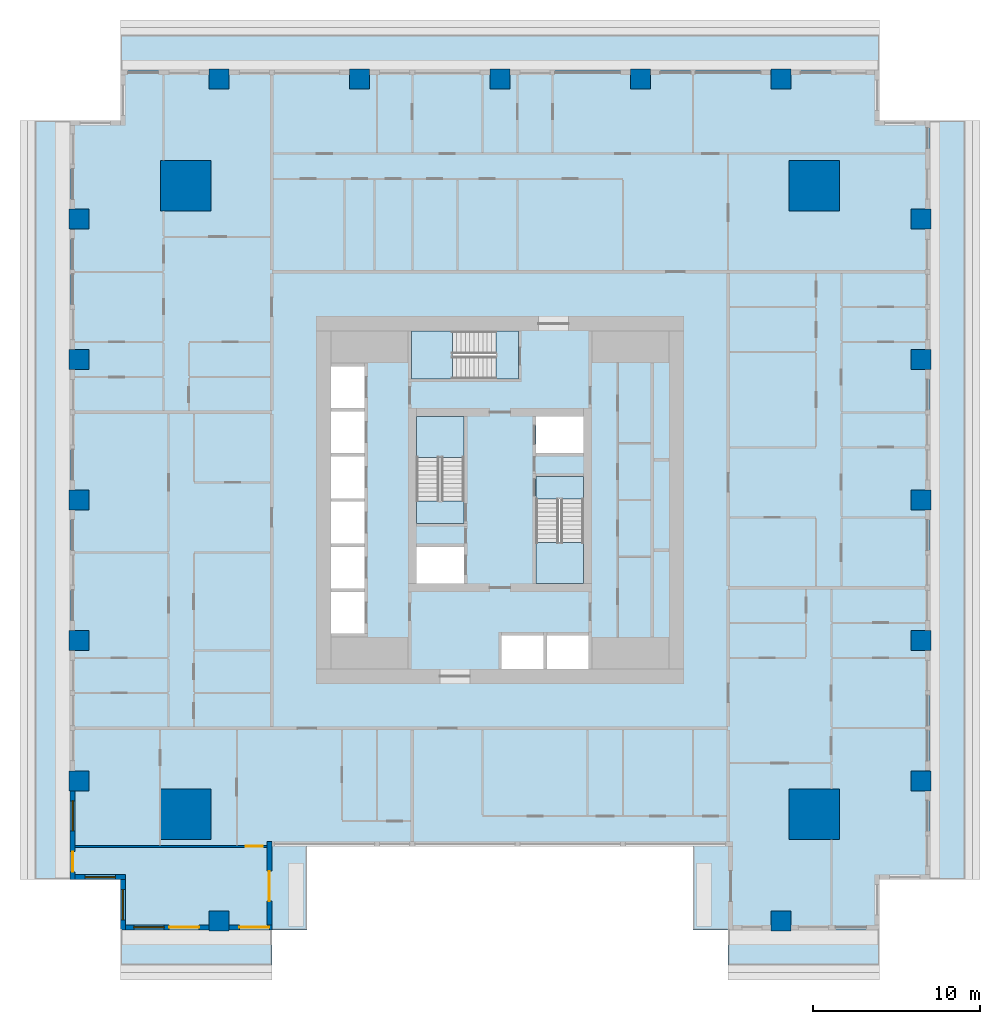
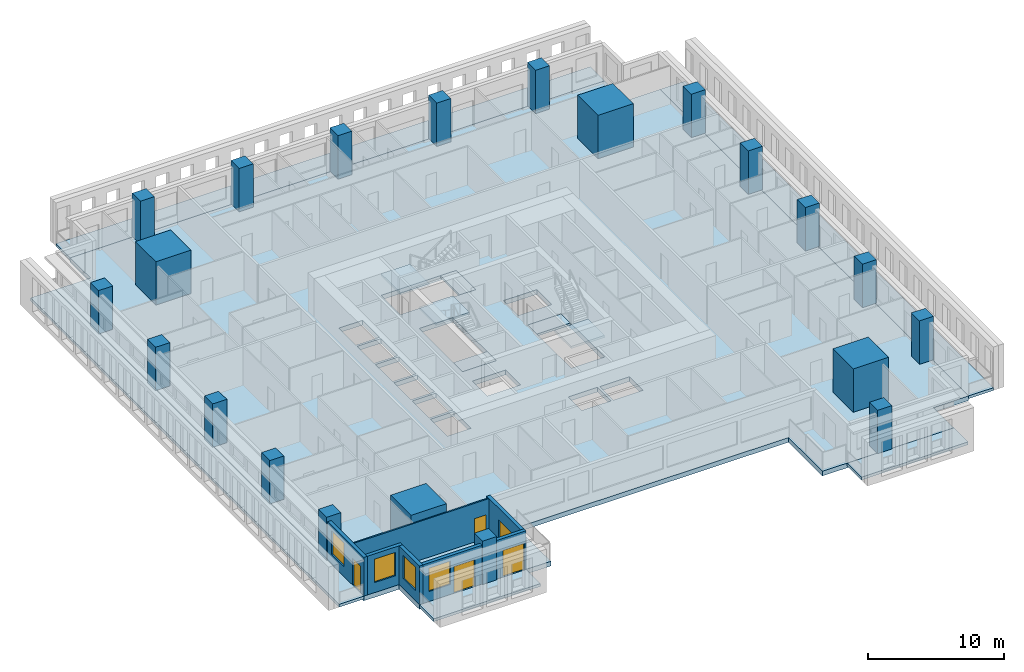
# One storey, part 1 of 14: 21 columns, 12 slabs, 7 walls, 5 doors, 4 windows, 9 openings, 3 elements without a shape of their own.
"""IFC4 building model written with IfcOpenShell, lengths in metres."""

from ifc_helpers import new_model, si_unit, direction, frame, frame_2d, origin, origin_2d, place, context, subcontext, project, spatial, polyline, rectangle, outline, extrude, material, layer, layer_set, material_profile, profile_set, type_object, element, fill, aggregate, save


model = new_model("IFC4")

# Units and contexts
model_context = context("Model", 3, precision=1e-05, world=origin(), true_north=direction((0.0, 1.0)))
body_context = subcontext(model_context, "Body", "Model", "MODEL_VIEW")
ifc_project = project(units=[si_unit("LENGTHUNIT", "METRE"), si_unit("AREAUNIT", "SQUARE_METRE"), si_unit("VOLUMEUNIT", "CUBIC_METRE"), si_unit("PLANEANGLEUNIT", "RADIAN"), si_unit("MASSUNIT", "GRAM", prefix="KILO")], contexts=[model_context])

# Site, building, storey
site_placement = place(None, origin())
site = spatial("IfcSite", under=ifc_project, at=site_placement, CompositionType="ELEMENT")
building_placement = place(site_placement, origin())
building = spatial("IfcBuilding", under=site, at=building_placement, Name="Khepri Terraces", CompositionType="ELEMENT")
storey_placement = place(building_placement, frame((0.0, 0.0, 66.0)))
storey = spatial("IfcBuildingStorey", under=building, at=storey_placement, Name="L15", CompositionType="ELEMENT", Elevation=66.0)

# Columns
ifc_material_1 = material(Name="Concrete C80/95", Category="concrete")
ifc_material_profile_1 = material_profile(ifc_material_1, rectangle(XDim=3.0, YDim=3.0, at=origin_2d()), Name="Concrete C80/95", Category="concrete")
ifc_profile_set_1 = profile_set([ifc_material_profile_1], Name="Concrete C80/95")
column_type_1 = type_object("IfcColumnType", Name="Mega column RC 3000x3000 C80/95", PredefinedType="COLUMN", material=ifc_profile_set_1)
for number, where, z_axis, x_axis, name in (
    (1, (18.800048828125, 18.800048828125, 0.0), (0.0, 0.0, 1.0), (1.0, 0.0, 0.0), "Mega column MEN L15"),
    (2, (18.800048828125, -18.800048828125, 0.0), (0.0, 0.0, 1.0), (1.0, 0.0, 0.0), "Mega column MES L15"),
    (3, (-18.800048828125, 18.800048828125, 0.0), (0.0, 0.0, 1.0), (1.0, 0.0, 0.0), "Mega column MWN L15"),
    (4, (-18.800048828125, -18.800048828125, 0.0), (0.0, 0.0, 1.0), (1.0, 0.0, 0.0), "Mega column MWS L15"),
):
    element("IfcColumn", number, at=place(storey_placement, frame(where, z_axis=z_axis, x_axis=x_axis)), inside=storey, type_object=column_type_1, Name=name, PredefinedType="COLUMN", context=body_context, shape_type="SweptSolid", body=[
        extrude(rectangle(XDim=3.0, YDim=3.0, at=origin_2d()), origin(), (0.0, 0.0, 1.0), 3.89990234375),
    ])
ifc_material_profile_2 = material_profile(ifc_material_1, rectangle(XDim=1.199951171875, YDim=1.199951171875, at=origin_2d()), Name="Concrete C80/95", Category="concrete")
ifc_profile_set_2 = profile_set([ifc_material_profile_2], Name="Concrete C80/95")
column_type_2 = type_object("IfcColumnType", Name="Tower column RC 1200x1200 C80/95", PredefinedType="COLUMN", material=ifc_profile_set_2)
for number, where, z_axis, x_axis, name in (
    (5, (25.199951171875, 0.0, 0.0), (0.0, 0.0, 1.0), (1.0, 0.0, 0.0), "Perimeter column PE+000a L15"),
    (6, (25.199951171875, 8.39990234375, 0.0), (0.0, 0.0, 1.0), (1.0, 0.0, 0.0), "Perimeter column PE+084a L15"),
    (7, (25.199951171875, 16.800048828125, 0.0), (0.0, 0.0, 1.0), (1.0, 0.0, 0.0), "Perimeter column PE+168a L15"),
    (8, (25.199951171875, -8.39990234375, 0.0), (0.0, 0.0, 1.0), (1.0, 0.0, 0.0), "Perimeter column PE-084a L15"),
    (9, (25.199951171875, -16.800048828125, 0.0), (0.0, 0.0, 1.0), (1.0, 0.0, 0.0), "Perimeter column PE-168a L15"),
    (10, (0.0, 25.199951171875, 0.0), (0.0, 0.0, 1.0), (1.0, 0.0, 0.0), "Perimeter column PN+000a L15"),
    (11, (-8.39990234375, 25.199951171875, 0.0), (0.0, 0.0, 1.0), (1.0, 0.0, 0.0), "Perimeter column PN+084a L15"),
    (12, (-16.800048828125, 25.199951171875, 0.0), (0.0, 0.0, 1.0), (1.0, 0.0, 0.0), "Perimeter column PN+168a L15"),
    (13, (8.39990234375, 25.199951171875, 0.0), (0.0, 0.0, 1.0), (1.0, 0.0, 0.0), "Perimeter column PN-084a L15"),
    (14, (16.800048828125, 25.199951171875, 0.0), (0.0, 0.0, 1.0), (1.0, 0.0, 0.0), "Perimeter column PN-168a L15"),
    (15, (16.800048828125, -25.199951171875, 0.0), (0.0, 0.0, 1.0), (1.0, 0.0, 0.0), "Perimeter column PS+168a L15"),
    (16, (-16.800048828125, -25.199951171875, 0.0), (0.0, 0.0, 1.0), (1.0, 0.0, 0.0), "Perimeter column PS-168a L15"),
    (17, (-25.199951171875, 0.0, 0.0), (0.0, 0.0, 1.0), (1.0, 0.0, 0.0), "Perimeter column PW+000a L15"),
    (18, (-25.199951171875, -8.39990234375, 0.0), (0.0, 0.0, 1.0), (1.0, 0.0, 0.0), "Perimeter column PW+084a L15"),
    (19, (-25.199951171875, -16.800048828125, 0.0), (0.0, 0.0, 1.0), (1.0, 0.0, 0.0), "Perimeter column PW+168a L15"),
    (20, (-25.199951171875, 8.39990234375, 0.0), (0.0, 0.0, 1.0), (1.0, 0.0, 0.0), "Perimeter column PW-084a L15"),
    (21, (-25.199951171875, 16.800048828125, 0.0), (0.0, 0.0, 1.0), (1.0, 0.0, 0.0), "Perimeter column PW-168a L15"),
):
    element("IfcColumn", number, at=place(storey_placement, frame(where, z_axis=z_axis, x_axis=x_axis)), inside=storey, type_object=column_type_2, Name=name, PredefinedType="COLUMN", context=body_context, shape_type="SweptSolid", body=[
        extrude(rectangle(XDim=1.199951171875, YDim=1.199951171875, at=origin_2d()), origin(), (0.0, 0.0, 1.0), 3.89990234375),
    ])

# Slabs
ifc_material_2 = material(Name="Concrete C40/50", Category="concrete")
ifc_layer_1 = layer(ifc_material_2, 0.419921875, Name="Concrete C40/50", Category="concrete")
ifc_layer_set_1 = layer_set([ifc_layer_1], Name="Concrete C40/50")
slab_type_1 = type_object("IfcSlabType", Name="Flat plate 420", PredefinedType="FLOOR", material=ifc_layer_set_1)
slab_1_placement = place(storey_placement, frame((0.0, 0.0, -0.419921875)))
element("IfcSlab", 22, at=slab_1_placement, inside=storey, type_object=slab_type_1, Name="Floor slab F01 L15", PredefinedType="FLOOR", context=body_context, shape_type="SweptSolid", body=[
    extrude(outline(polyline([(22.719970703125, -25.719970703125), (13.64990234375, -25.719970703125), (11.550048828125, -25.719970703125), (11.550048828125, -20.719970703125), (-11.550048828125, -20.719970703125), (-11.550048828125, -25.719970703125), (-13.64990234375, -25.719970703125), (-22.719970703125, -25.719970703125), (-22.719970703125, -22.719970703125), (-25.719970703125, -22.719970703125), (-25.719970703125, 22.719970703125), (-22.719970703125, 22.719970703125), (-22.719970703125, 25.719970703125), (22.719970703125, 25.719970703125), (22.719970703125, 22.719970703125), (25.719970703125, 22.719970703125), (25.719970703125, -22.719970703125), (22.719970703125, -22.719970703125), (22.719970703125, -25.719970703125)]), holes=[polyline([(5.0, 5.0), (2.14990234375, 5.0), (2.14990234375, 2.800048828125), (5.0, 2.800048828125), (5.0, 5.0)]), polyline([(-2.14990234375, -5.0), (-2.14990234375, -2.800048828125), (-5.0, -2.800048828125), (-5.0, -5.0), (-2.14990234375, -5.0)]), polyline([(-10.10009765625, -8.0), (-8.10009765625, -8.0), (-8.10009765625, -5.5), (-10.10009765625, -5.5), (-10.10009765625, -8.0)]), polyline([(-10.10009765625, -2.800048828125), (-10.10009765625, -5.300048828125), (-8.10009765625, -5.300048828125), (-8.10009765625, -2.800048828125), (-10.10009765625, -2.800048828125)]), polyline([(-8.10009765625, -0.10009765625), (-10.10009765625, -0.10009765625), (-10.10009765625, -2.60009765625), (-8.10009765625, -2.60009765625), (-8.10009765625, -0.10009765625)]), polyline([(-8.10009765625, 0.10009765625), (-8.10009765625, 2.60009765625), (-10.10009765625, 2.60009765625), (-10.10009765625, 0.10009765625), (-8.10009765625, 0.10009765625)]), polyline([(-10.10009765625, 2.800048828125), (-8.10009765625, 2.800048828125), (-8.10009765625, 5.300048828125), (-10.10009765625, 5.300048828125), (-10.10009765625, 2.800048828125)]), polyline([(-10.10009765625, 8.0), (-10.10009765625, 5.5), (-8.10009765625, 5.5), (-8.10009765625, 8.0), (-10.10009765625, 8.0)]), polyline([(2.60009765625, -8.10009765625), (0.10009765625, -8.10009765625), (0.10009765625, -10.10009765625), (2.60009765625, -10.10009765625), (2.60009765625, -8.10009765625)]), polyline([(5.300048828125, -10.10009765625), (5.300048828125, -8.10009765625), (2.800048828125, -8.10009765625), (2.800048828125, -10.10009765625), (5.300048828125, -10.10009765625)]), polyline([(-5.0, -1.39990234375), (-2.14990234375, -1.39990234375), (-2.14990234375, 5.0), (-5.0, 5.0), (-5.0, -1.39990234375)]), polyline([(5.0, -5.0), (5.0, 1.39990234375), (2.14990234375, 1.39990234375), (2.14990234375, -5.0), (5.0, -5.0)]), polyline([(-5.300048828125, 10.10009765625), (-5.300048828125, 7.25), (1.10009765625, 7.25), (1.10009765625, 10.10009765625), (-5.300048828125, 10.10009765625)])]), origin(), (0.0, 0.0, 1.0), 0.419921875),
])
ifc_material_3 = material(Name="Precast concrete C50/60 warm stone", Category="masonry")
ifc_layer_2 = layer(ifc_material_3, 0.25, Name="Precast concrete C50/60 warm stone", Category="masonry")
ifc_layer_set_2 = layer_set([ifc_layer_2], Name="Precast concrete C50/60 warm stone")
slab_type_2 = type_object("IfcSlabType", Name="SLB-BALCONY-250", PredefinedType="FLOOR", material=ifc_layer_set_2)
slab_2_placement = place(storey_placement, frame((0.0, 0.0, -0.25)))
element("IfcSlab", 23, at=slab_2_placement, inside=storey, type_object=slab_type_2, Name="Balcony slab L15 S", PredefinedType="FLOOR", context=body_context, shape_type="SweptSolid", body=[
    extrude(outline(polyline([(-17.39990234375, -25.719970703125), (-22.719970703125, -25.719970703125), (-22.719970703125, -27.820068359375), (-13.64990234375, -27.820068359375), (-13.64990234375, -25.719970703125), (-16.199951171875, -25.719970703125), (-16.199951171875, -25.800048828125), (-17.39990234375, -25.800048828125), (-17.39990234375, -25.719970703125)])), origin(), (0.0, 0.0, 1.0), 0.25),
])
slab_3_placement = place(storey_placement, frame((0.0, 0.0, -0.25)))
element("IfcSlab", 24, at=slab_3_placement, inside=storey, type_object=slab_type_2, Name="Balcony slab L15 S", PredefinedType="FLOOR", context=body_context, shape_type="SweptSolid", body=[
    extrude(outline(polyline([(16.199951171875, -25.719970703125), (13.64990234375, -25.719970703125), (13.64990234375, -27.820068359375), (22.719970703125, -27.820068359375), (22.719970703125, -25.719970703125), (17.39990234375, -25.719970703125), (17.39990234375, -25.800048828125), (16.199951171875, -25.800048828125), (16.199951171875, -25.719970703125)])), origin(), (0.0, 0.0, 1.0), 0.25),
])
slab_4_placement = place(storey_placement, frame((0.0, 0.0, -0.25)))
element("IfcSlab", 25, at=slab_4_placement, inside=storey, type_object=slab_type_2, Name="Balcony slab L15 E", PredefinedType="FLOOR", context=body_context, shape_type="SweptSolid", body=[
    extrude(outline(polyline([(25.719970703125, -17.39990234375), (25.719970703125, -22.719970703125), (27.820068359375, -22.719970703125), (27.820068359375, 22.719970703125), (25.719970703125, 22.719970703125), (25.719970703125, 17.39990234375), (25.800048828125, 17.39990234375), (25.800048828125, 16.199951171875), (25.719970703125, 16.199951171875), (25.719970703125, 9.0), (25.800048828125, 9.0), (25.800048828125, 7.800048828125), (25.719970703125, 7.800048828125), (25.719970703125, 0.60009765625), (25.800048828125, 0.60009765625), (25.800048828125, -0.60009765625), (25.719970703125, -0.60009765625), (25.719970703125, -7.800048828125), (25.800048828125, -7.800048828125), (25.800048828125, -9.0), (25.719970703125, -9.0), (25.719970703125, -16.199951171875), (25.800048828125, -16.199951171875), (25.800048828125, -17.39990234375), (25.719970703125, -17.39990234375)])), origin(), (0.0, 0.0, 1.0), 0.25),
])
slab_5_placement = place(storey_placement, frame((0.0, 0.0, -0.25)))
element("IfcSlab", 26, at=slab_5_placement, inside=storey, type_object=slab_type_2, Name="Balcony slab L15 N", PredefinedType="FLOOR", context=body_context, shape_type="SweptSolid", body=[
    extrude(outline(polyline([(17.39990234375, 25.719970703125), (22.719970703125, 25.719970703125), (22.719970703125, 27.820068359375), (-22.719970703125, 27.820068359375), (-22.719970703125, 25.719970703125), (-17.39990234375, 25.719970703125), (-17.39990234375, 25.800048828125), (-16.199951171875, 25.800048828125), (-16.199951171875, 25.719970703125), (-9.0, 25.719970703125), (-9.0, 25.800048828125), (-7.800048828125, 25.800048828125), (-7.800048828125, 25.719970703125), (-0.60009765625, 25.719970703125), (-0.60009765625, 25.800048828125), (0.60009765625, 25.800048828125), (0.60009765625, 25.719970703125), (7.800048828125, 25.719970703125), (7.800048828125, 25.800048828125), (9.0, 25.800048828125), (9.0, 25.719970703125), (16.199951171875, 25.719970703125), (16.199951171875, 25.800048828125), (17.39990234375, 25.800048828125), (17.39990234375, 25.719970703125)])), origin(), (0.0, 0.0, 1.0), 0.25),
])
slab_6_placement = place(storey_placement, frame((0.0, 0.0, -0.25)))
element("IfcSlab", 27, at=slab_6_placement, inside=storey, type_object=slab_type_2, Name="Balcony slab L15 W", PredefinedType="FLOOR", context=body_context, shape_type="SweptSolid", body=[
    extrude(outline(polyline([(-25.719970703125, 17.39990234375), (-25.719970703125, 22.719970703125), (-27.820068359375, 22.719970703125), (-27.820068359375, -22.719970703125), (-25.719970703125, -22.719970703125), (-25.719970703125, -17.39990234375), (-25.800048828125, -17.39990234375), (-25.800048828125, -16.199951171875), (-25.719970703125, -16.199951171875), (-25.719970703125, -9.0), (-25.800048828125, -9.0), (-25.800048828125, -7.800048828125), (-25.719970703125, -7.800048828125), (-25.719970703125, -0.60009765625), (-25.800048828125, -0.60009765625), (-25.800048828125, 0.60009765625), (-25.719970703125, 0.60009765625), (-25.719970703125, 7.800048828125), (-25.800048828125, 7.800048828125), (-25.800048828125, 9.0), (-25.719970703125, 9.0), (-25.719970703125, 16.199951171875), (-25.800048828125, 16.199951171875), (-25.800048828125, 17.39990234375), (-25.719970703125, 17.39990234375)])), origin(), (0.0, 0.0, 1.0), 0.25),
])

# Stair, slabs
stair_type = type_object("IfcStairType", Name="STAIR-RC-22R", PredefinedType="HALF_TURN_STAIR", material=ifc_material_2)
stair_1_placement = place(storey_placement, origin())
stair_1 = element("IfcStair", 28, at=stair_1_placement, inside=storey, type_object=stair_type, Name="L15 Exit Stair ST-1", PredefinedType="HALF_TURN_STAIR")
ifc_layer_3 = layer(ifc_material_2, 0.199951171875, Name="Concrete C40/50", Category="concrete")
ifc_layer_set_3 = layer_set([ifc_layer_3], Name="Concrete C40/50")
slab_type_3 = type_object("IfcSlabType", Name="SLB-CORE-LANDING", PredefinedType="LANDING", material=ifc_layer_set_3)
slab_7_placement = place(storey_placement, frame((0.0, 0.0, -0.199951171875)))
slab_7 = element("IfcSlab", 29, at=slab_7_placement, type_object=slab_type_3, Name="ST-1 landing 1", PredefinedType="LANDING", context=body_context, shape_type="SweptSolid", body=[
    extrude(outline(polyline([(-2.14990234375, -1.39990234375), (-2.14990234375, -0.050048828125), (-5.0, -0.050048828125), (-5.0, -1.39990234375), (-2.14990234375, -1.39990234375)])), origin(), (0.0, 0.0, 1.0), 0.199951171875),
])
slab_8_placement = place(storey_placement, frame((0.0, 0.0, 1.75)))
slab_8 = element("IfcSlab", 30, at=slab_8_placement, type_object=slab_type_3, Name="ST-1 landing 2", PredefinedType="LANDING", context=body_context, shape_type="SweptSolid", body=[
    extrude(outline(polyline([(-2.14990234375, 2.550048828125), (-2.14990234375, 5.0), (-5.0, 5.0), (-5.0, 2.550048828125), (-2.14990234375, 2.550048828125)])), origin(), (0.0, 0.0, 1.0), 0.199951171875),
])
aggregate(stair_1, [slab_7, slab_8])

stair_2_placement = place(storey_placement, origin())
stair_2 = element("IfcStair", 31, at=stair_2_placement, inside=storey, type_object=stair_type, Name="L15 Exit Stair ST-2", PredefinedType="HALF_TURN_STAIR")
slab_9_placement = place(storey_placement, frame((0.0, 0.0, -0.199951171875)))
slab_9 = element("IfcSlab", 32, at=slab_9_placement, type_object=slab_type_3, Name="ST-2 landing 1", PredefinedType="LANDING", context=body_context, shape_type="SweptSolid", body=[
    extrude(outline(polyline([(2.14990234375, 1.39990234375), (2.14990234375, 0.050048828125), (5.0, 0.050048828125), (5.0, 1.39990234375), (2.14990234375, 1.39990234375)])), origin(), (0.0, 0.0, 1.0), 0.199951171875),
])
slab_10_placement = place(storey_placement, frame((0.0, 0.0, 1.75)))
slab_10 = element("IfcSlab", 33, at=slab_10_placement, type_object=slab_type_3, Name="ST-2 landing 2", PredefinedType="LANDING", context=body_context, shape_type="SweptSolid", body=[
    extrude(outline(polyline([(2.14990234375, -2.550048828125), (2.14990234375, -5.0), (5.0, -5.0), (5.0, -2.550048828125), (2.14990234375, -2.550048828125)])), origin(), (0.0, 0.0, 1.0), 0.199951171875),
])
aggregate(stair_2, [slab_9, slab_10])

stair_3_placement = place(storey_placement, origin())
stair_3 = element("IfcStair", 34, at=stair_3_placement, inside=storey, type_object=stair_type, Name="L15 Exit Stair ST-3", PredefinedType="HALF_TURN_STAIR")
slab_11_placement = place(storey_placement, frame((0.0, 0.0, -0.199951171875)))
slab_11 = element("IfcSlab", 35, at=slab_11_placement, type_object=slab_type_3, Name="ST-3 landing 1", PredefinedType="LANDING", context=body_context, shape_type="SweptSolid", body=[
    extrude(outline(polyline([(1.10009765625, 10.10009765625), (-0.25, 10.10009765625), (-0.25, 7.25), (1.10009765625, 7.25), (1.10009765625, 10.10009765625)])), origin(), (0.0, 0.0, 1.0), 0.199951171875),
])
slab_12_placement = place(storey_placement, frame((0.0, 0.0, 1.75)))
slab_12 = element("IfcSlab", 36, at=slab_12_placement, type_object=slab_type_3, Name="ST-3 landing 2", PredefinedType="LANDING", context=body_context, shape_type="SweptSolid", body=[
    extrude(outline(polyline([(-2.85009765625, 10.10009765625), (-5.300048828125, 10.10009765625), (-5.300048828125, 7.25), (-2.85009765625, 7.25), (-2.85009765625, 10.10009765625)])), origin(), (0.0, 0.0, 1.0), 0.199951171875),
])
aggregate(stair_3, [slab_11, slab_12])

# Wall, openings, door, window
ifc_layer_4 = layer(ifc_material_3, 0.300048828125, Name="Precast concrete C50/60 warm stone", Category="masonry")
ifc_layer_set_4 = layer_set([ifc_layer_4], Name="Precast concrete C50/60 warm stone")
wall_type_1 = type_object("IfcWallType", Name="WL-EXT-PRECAST-300", PredefinedType="STANDARD", material=ifc_layer_set_4)
wall_1_placement = place(storey_placement, frame((-25.570068359375, -17.39990234375, 0.0), z_axis=(0.0, 0.0, 1.0), x_axis=(0.0, -1.0, 0.0)))
wall_1 = element("IfcWall", 37, at=wall_1_placement, inside=storey, type_object=wall_type_1, Name="External wall L15 W", PredefinedType="STANDARD", context=body_context, shape_type="SweptSolid", body=[
    extrude(rectangle(XDim=5.320068359375, YDim=0.300048828125, at=frame_2d((2.66015625, 0.0))), origin(), (0.0, 0.0, 1.0), 3.47998046875),
])
opening_1_placement = place(wall_1_placement, frame((0.60009765625, 0.0, 0.89990234375)))
opening_1 = element("IfcOpeningElement", 38, at=opening_1_placement, cuts=wall_1, Name="Opening W1", PredefinedType="OPENING", context=body_context, shape_type="SweptSolid", body=[
    extrude(rectangle(XDim=1.800048828125, YDim=2.10009765625, at=frame_2d((0.89990234375, 1.050048828125))), frame((0.0, 0.16015625, 0.0), z_axis=(0.0, -1.0, 0.0), x_axis=(1.0, 0.0, 0.0)), (0.0, 0.0, 1.0), 0.320068359375),
])
opening_2_placement = place(wall_1_placement, frame((3.64501953125, 0.0, 0.0)))
opening_2 = element("IfcOpeningElement", 39, at=opening_2_placement, cuts=wall_1, Name="Opening ED-L15-18", PredefinedType="OPENING", context=body_context, shape_type="SweptSolid", body=[
    extrude(rectangle(XDim=1.199951171875, YDim=2.39990234375, at=frame_2d((0.60009765625, 1.199951171875))), frame((0.0, 0.16015625, 0.0), z_axis=(0.0, -1.0, 0.0), x_axis=(1.0, 0.0, 0.0)), (0.0, 0.0, 1.0), 0.320068359375),
])
ifc_material_4 = material(Name="Anodised aluminium bronze glazed door", Category="aluminium")
door_type_1 = type_object("IfcDoorType", Name="DR-BAL-SLIDE-1200x2400", OperationType="NOTDEFINED", PredefinedType="DOOR", material=ifc_material_4)
door_1_placement = place(opening_2_placement, origin())
door_1 = element("IfcDoor", 40, at=door_1_placement, inside=storey, type_object=door_type_1, Name="Balcony door L15 W", OperationType="SLIDING_TO_RIGHT", OverallHeight=2.39990234375, OverallWidth=1.199951171875, PredefinedType="DOOR", context=body_context, shape_type="SweptSolid", body=[
    extrude(rectangle(XDim=1.199951171875, YDim=2.39990234375, at=frame_2d((0.60009765625, 1.199951171875))), frame((0.0, 0.02490234375, 0.0), z_axis=(0.0, -1.0, 0.0), x_axis=(1.0, 0.0, 0.0)), (0.0, 0.0, 1.0), 0.050048828125),
])
fill(opening_2, door_1)
ifc_material_5 = material(Name="Clear glass", Category="glass")
window_type = type_object("IfcWindowType", Name="WIN-RES-1800x2100", PartitioningType="SINGLE_PANEL", PredefinedType="WINDOW", material=ifc_material_5)
window_1_placement = place(opening_1_placement, origin())
window_1 = element("IfcWindow", 41, at=window_1_placement, inside=storey, type_object=window_type, Name="Window L15 W", OverallHeight=2.10009765625, OverallWidth=1.800048828125, PartitioningType="SINGLE_PANEL", PredefinedType="WINDOW", context=body_context, shape_type="SweptSolid", body=[
    extrude(rectangle(XDim=1.800048828125, YDim=2.10009765625, at=frame_2d((0.89990234375, 1.050048828125))), frame((0.0, 0.030029296875, 0.0), z_axis=(0.0, -1.0, 0.0), x_axis=(1.0, 0.0, 0.0)), (0.0, 0.0, 1.0), 0.06005859375),
])
fill(opening_1, window_1)

# Wall, opening, window
wall_2_placement = place(storey_placement, frame((-25.419921875, -22.570068359375, 0.0), z_axis=(0.0, 0.0, 1.0), x_axis=(1.0, 0.0, 0.0)))
wall_2 = element("IfcWall", 42, at=wall_2_placement, inside=storey, type_object=wall_type_1, Name="External wall L15 S", PredefinedType="STANDARD", context=body_context, shape_type="SweptSolid", body=[
    extrude(rectangle(XDim=3.0, YDim=0.300048828125, at=frame_2d((1.5, 0.0))), origin(), (0.0, 0.0, 1.0), 3.47998046875),
])
opening_3_placement = place(wall_2_placement, frame((0.60009765625, 0.0, 0.89990234375)))
opening_3 = element("IfcOpeningElement", 43, at=opening_3_placement, cuts=wall_2, Name="Opening W1", PredefinedType="OPENING", context=body_context, shape_type="SweptSolid", body=[
    extrude(rectangle(XDim=1.800048828125, YDim=2.10009765625, at=frame_2d((0.89990234375, 1.050048828125))), frame((0.0, 0.16015625, 0.0), z_axis=(0.0, -1.0, 0.0), x_axis=(1.0, 0.0, 0.0)), (0.0, 0.0, 1.0), 0.320068359375),
])
window_2_placement = place(opening_3_placement, origin())
window_2 = element("IfcWindow", 44, at=window_2_placement, inside=storey, type_object=window_type, Name="Window L15 S", OverallHeight=2.10009765625, OverallWidth=1.800048828125, PartitioningType="SINGLE_PANEL", PredefinedType="WINDOW", context=body_context, shape_type="SweptSolid", body=[
    extrude(rectangle(XDim=1.800048828125, YDim=2.10009765625, at=frame_2d((0.89990234375, 1.050048828125))), frame((0.0, 0.030029296875, 0.0), z_axis=(0.0, -1.0, 0.0), x_axis=(1.0, 0.0, 0.0)), (0.0, 0.0, 1.0), 0.06005859375),
])
fill(opening_3, window_2)

wall_3_placement = place(storey_placement, frame((-22.570068359375, -22.719970703125, 0.0), z_axis=(0.0, 0.0, 1.0), x_axis=(0.0, -1.0, 0.0)))
wall_3 = element("IfcWall", 45, at=wall_3_placement, inside=storey, type_object=wall_type_1, Name="External wall L15 W", PredefinedType="STANDARD", context=body_context, shape_type="SweptSolid", body=[
    extrude(rectangle(XDim=3.0, YDim=0.300048828125, at=frame_2d((1.5, 0.0))), origin(), (0.0, 0.0, 1.0), 3.47998046875),
])
opening_4_placement = place(wall_3_placement, frame((0.60009765625, 0.0, 0.89990234375)))
opening_4 = element("IfcOpeningElement", 46, at=opening_4_placement, cuts=wall_3, Name="Opening W1", PredefinedType="OPENING", context=body_context, shape_type="SweptSolid", body=[
    extrude(rectangle(XDim=1.800048828125, YDim=2.10009765625, at=frame_2d((0.89990234375, 1.050048828125))), frame((0.0, 0.16015625, 0.0), z_axis=(0.0, -1.0, 0.0), x_axis=(1.0, 0.0, 0.0)), (0.0, 0.0, 1.0), 0.320068359375),
])
window_3_placement = place(opening_4_placement, origin())
window_3 = element("IfcWindow", 47, at=window_3_placement, inside=storey, type_object=window_type, Name="Window L15 W", OverallHeight=2.10009765625, OverallWidth=1.800048828125, PartitioningType="SINGLE_PANEL", PredefinedType="WINDOW", context=body_context, shape_type="SweptSolid", body=[
    extrude(rectangle(XDim=1.800048828125, YDim=2.10009765625, at=frame_2d((0.89990234375, 1.050048828125))), frame((0.0, 0.030029296875, 0.0), z_axis=(0.0, -1.0, 0.0), x_axis=(1.0, 0.0, 0.0)), (0.0, 0.0, 1.0), 0.06005859375),
])
fill(opening_4, window_3)

# Wall, openings, door, window
wall_4_placement = place(storey_placement, frame((-22.419921875, -25.570068359375, 0.0), z_axis=(0.0, 0.0, 1.0), x_axis=(1.0, 0.0, 0.0)))
wall_4 = element("IfcWall", 48, at=wall_4_placement, inside=storey, type_object=wall_type_1, Name="External wall L15 S", PredefinedType="STANDARD", context=body_context, shape_type="SweptSolid", body=[
    extrude(rectangle(XDim=5.02001953125, YDim=0.300048828125, at=frame_2d((2.510009765625, 0.0))), origin(), (0.0, 0.0, 1.0), 3.47998046875),
])
opening_5_placement = place(wall_4_placement, frame((0.52001953125, 0.0, 0.89990234375)))
opening_5 = element("IfcOpeningElement", 49, at=opening_5_placement, cuts=wall_4, Name="Opening W1", PredefinedType="OPENING", context=body_context, shape_type="SweptSolid", body=[
    extrude(rectangle(XDim=1.800048828125, YDim=2.10009765625, at=frame_2d((0.89990234375, 1.050048828125))), frame((0.0, 0.16015625, 0.0), z_axis=(0.0, -1.0, 0.0), x_axis=(1.0, 0.0, 0.0)), (0.0, 0.0, 1.0), 0.320068359375),
])
opening_6_placement = place(wall_4_placement, frame((2.6201171875, 0.0, 0.0)))
opening_6 = element("IfcOpeningElement", 50, at=opening_6_placement, cuts=wall_4, Name="Opening ED-L15-19", PredefinedType="OPENING", context=body_context, shape_type="SweptSolid", body=[
    extrude(rectangle(XDim=1.800048828125, YDim=2.39990234375, at=frame_2d((0.89990234375, 1.199951171875))), frame((0.0, 0.16015625, 0.0), z_axis=(0.0, -1.0, 0.0), x_axis=(1.0, 0.0, 0.0)), (0.0, 0.0, 1.0), 0.320068359375),
])
door_type_2 = type_object("IfcDoorType", Name="DR-BAL-SLIDE-1800x2400", OperationType="NOTDEFINED", PredefinedType="DOOR", material=ifc_material_4)
door_2_placement = place(opening_6_placement, origin())
door_2 = element("IfcDoor", 51, at=door_2_placement, inside=storey, type_object=door_type_2, Name="Balcony door L15 S", OperationType="SLIDING_TO_RIGHT", OverallHeight=2.39990234375, OverallWidth=1.800048828125, PredefinedType="DOOR", context=body_context, shape_type="SweptSolid", body=[
    extrude(rectangle(XDim=1.800048828125, YDim=2.39990234375, at=frame_2d((0.89990234375, 1.199951171875))), frame((0.0, 0.02490234375, 0.0), z_axis=(0.0, -1.0, 0.0), x_axis=(1.0, 0.0, 0.0)), (0.0, 0.0, 1.0), 0.050048828125),
])
fill(opening_6, door_2)
window_4_placement = place(opening_5_placement, origin())
window_4 = element("IfcWindow", 52, at=window_4_placement, inside=storey, type_object=window_type, Name="Window L15 S", OverallHeight=2.10009765625, OverallWidth=1.800048828125, PartitioningType="SINGLE_PANEL", PredefinedType="WINDOW", context=body_context, shape_type="SweptSolid", body=[
    extrude(rectangle(XDim=1.800048828125, YDim=2.10009765625, at=frame_2d((0.89990234375, 1.050048828125))), frame((0.0, 0.030029296875, 0.0), z_axis=(0.0, -1.0, 0.0), x_axis=(1.0, 0.0, 0.0)), (0.0, 0.0, 1.0), 0.06005859375),
])
fill(opening_5, window_4)

# Wall, opening, door
wall_5_placement = place(storey_placement, frame((-16.199951171875, -25.570068359375, 0.0), z_axis=(0.0, 0.0, 1.0), x_axis=(1.0, 0.0, 0.0)))
wall_5 = element("IfcWall", 53, at=wall_5_placement, inside=storey, type_object=wall_type_1, Name="External wall L15 S", PredefinedType="STANDARD", context=body_context, shape_type="SweptSolid", body=[
    extrude(rectangle(XDim=2.550048828125, YDim=0.300048828125, at=frame_2d((1.27490234375, 0.0))), origin(), (0.0, 0.0, 1.0), 3.47998046875),
])
opening_7_placement = place(wall_5_placement, frame((0.60009765625, 0.0, 0.0)))
opening_7 = element("IfcOpeningElement", 54, at=opening_7_placement, cuts=wall_5, Name="Opening ED-L15-20", PredefinedType="OPENING", context=body_context, shape_type="SweptSolid", body=[
    extrude(rectangle(XDim=1.800048828125, YDim=2.39990234375, at=frame_2d((0.89990234375, 1.199951171875))), frame((0.0, 0.16015625, 0.0), z_axis=(0.0, -1.0, 0.0), x_axis=(1.0, 0.0, 0.0)), (0.0, 0.0, 1.0), 0.320068359375),
])
door_3_placement = place(opening_7_placement, origin())
door_3 = element("IfcDoor", 55, at=door_3_placement, inside=storey, type_object=door_type_2, Name="Balcony door L15 S", OperationType="SLIDING_TO_LEFT", OverallHeight=2.39990234375, OverallWidth=1.800048828125, PredefinedType="DOOR", context=body_context, shape_type="SweptSolid", body=[
    extrude(rectangle(XDim=1.800048828125, YDim=2.39990234375, at=frame_2d((0.89990234375, 1.199951171875))), frame((0.0, 0.02490234375, 0.0), z_axis=(0.0, -1.0, 0.0), x_axis=(1.0, 0.0, 0.0)), (0.0, 0.0, 1.0), 0.050048828125),
])
fill(opening_7, door_3)

wall_6_placement = place(storey_placement, frame((-13.800048828125, -25.419921875, 0.0), z_axis=(0.0, 0.0, 1.0), x_axis=(0.0, 1.0, 0.0)))
wall_6 = element("IfcWall", 56, at=wall_6_placement, inside=storey, type_object=wall_type_1, Name="External wall L15 E", PredefinedType="STANDARD", context=body_context, shape_type="SweptSolid", body=[
    extrude(rectangle(XDim=5.0, YDim=0.300048828125, at=frame_2d((2.5, 0.0))), origin(), (0.0, 0.0, 1.0), 3.47998046875),
])
opening_8_placement = place(wall_6_placement, frame((1.419921875, 0.0, 0.0)))
opening_8 = element("IfcOpeningElement", 57, at=opening_8_placement, cuts=wall_6, Name="Opening ED-L15-21", PredefinedType="OPENING", context=body_context, shape_type="SweptSolid", body=[
    extrude(rectangle(XDim=1.800048828125, YDim=2.39990234375, at=frame_2d((0.89990234375, 1.199951171875))), frame((0.0, 0.16015625, 0.0), z_axis=(0.0, -1.0, 0.0), x_axis=(1.0, 0.0, 0.0)), (0.0, 0.0, 1.0), 0.320068359375),
])
door_4_placement = place(opening_8_placement, origin())
door_4 = element("IfcDoor", 58, at=door_4_placement, inside=storey, type_object=door_type_2, Name="Balcony door L15 E", OperationType="SLIDING_TO_LEFT", OverallHeight=2.39990234375, OverallWidth=1.800048828125, PredefinedType="DOOR", context=body_context, shape_type="SweptSolid", body=[
    extrude(rectangle(XDim=1.800048828125, YDim=2.39990234375, at=frame_2d((0.89990234375, 1.199951171875))), frame((0.0, 0.02490234375, 0.0), z_axis=(0.0, -1.0, 0.0), x_axis=(1.0, 0.0, 0.0)), (0.0, 0.0, 1.0), 0.050048828125),
])
fill(opening_8, door_4)

ifc_material_6 = material(Name="Gypsum plasterboard partition")
ifc_layer_5 = layer(ifc_material_6, 0.1201171875, Name="Gypsum plasterboard partition")
ifc_layer_set_5 = layer_set([ifc_layer_5], Name="Gypsum plasterboard partition")
wall_type_2 = type_object("IfcWallType", Name="WL-PART-120", PredefinedType="PARTITIONING", material=ifc_layer_set_5)
wall_7_placement = place(storey_placement, frame((-25.419921875, -20.719970703125, 0.0), z_axis=(0.0, 0.0, 1.0), x_axis=(1.0, 0.0, 0.0)))
wall_7 = element("IfcWall", 59, at=wall_7_placement, inside=storey, type_object=wall_type_2, Name="Partition P-002 L15", PredefinedType="PARTITIONING", context=body_context, shape_type="SweptSolid", body=[
    extrude(rectangle(XDim=11.469970703125, YDim=0.1201171875, at=frame_2d((5.73486328125, 0.0))), origin(), (0.0, 0.0, 1.0), 3.47998046875),
])
opening_9_placement = place(wall_7_placement, frame((10.219970703125, 0.0, 0.0)))
opening_9 = element("IfcOpeningElement", 60, at=opening_9_placement, cuts=wall_7, Name="Opening D2", PredefinedType="OPENING", context=body_context, shape_type="SweptSolid", body=[
    extrude(rectangle(XDim=1.0, YDim=2.10009765625, at=frame_2d((0.5, 1.050048828125))), frame((0.0, 0.070068359375, 0.0), z_axis=(0.0, -1.0, 0.0), x_axis=(1.0, 0.0, 0.0)), (0.0, 0.0, 1.0), 0.14013671875),
])
ifc_material_7 = material(Name="Timber door leaf, living room door", Category="wood")
door_type_3 = type_object("IfcDoorType", Name="DR-INT-1000", OperationType="NOTDEFINED", PredefinedType="DOOR", material=ifc_material_7)
door_5_placement = place(opening_9_placement, frame((1.0, 0.0, 0.0), z_axis=(0.0, 0.0, 1.0), x_axis=(-1.0, 0.0, 0.0)))
door_5 = element("IfcDoor", 61, at=door_5_placement, inside=storey, type_object=door_type_3, Name="Door Living Room", OperationType="SINGLE_SWING_LEFT", OverallHeight=2.10009765625, OverallWidth=1.0, PredefinedType="DOOR", context=body_context, shape_type="SweptSolid", body=[
    extrude(rectangle(XDim=1.0, YDim=2.10009765625, at=frame_2d((0.5, 1.050048828125))), frame((0.0, 0.02490234375, 0.0), z_axis=(0.0, -1.0, 0.0), x_axis=(1.0, 0.0, 0.0)), (0.0, 0.0, 1.0), 0.050048828125),
])
fill(opening_9, door_5)

save(model, "model.ifc")
